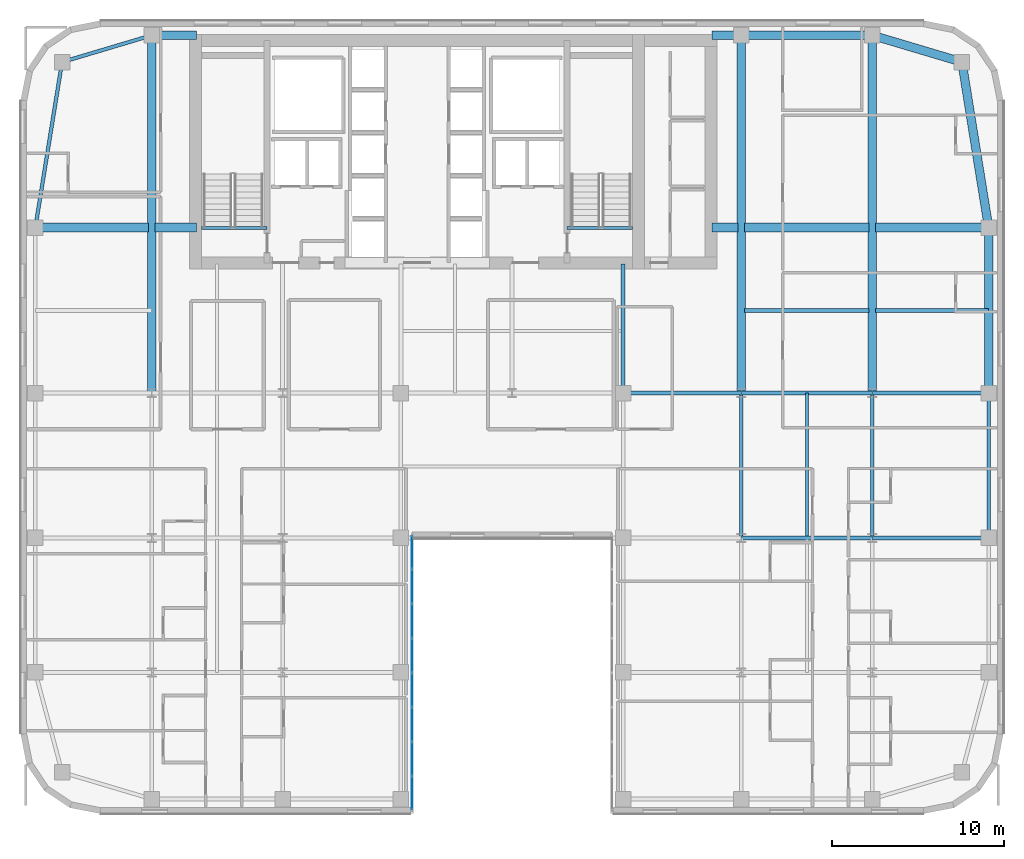
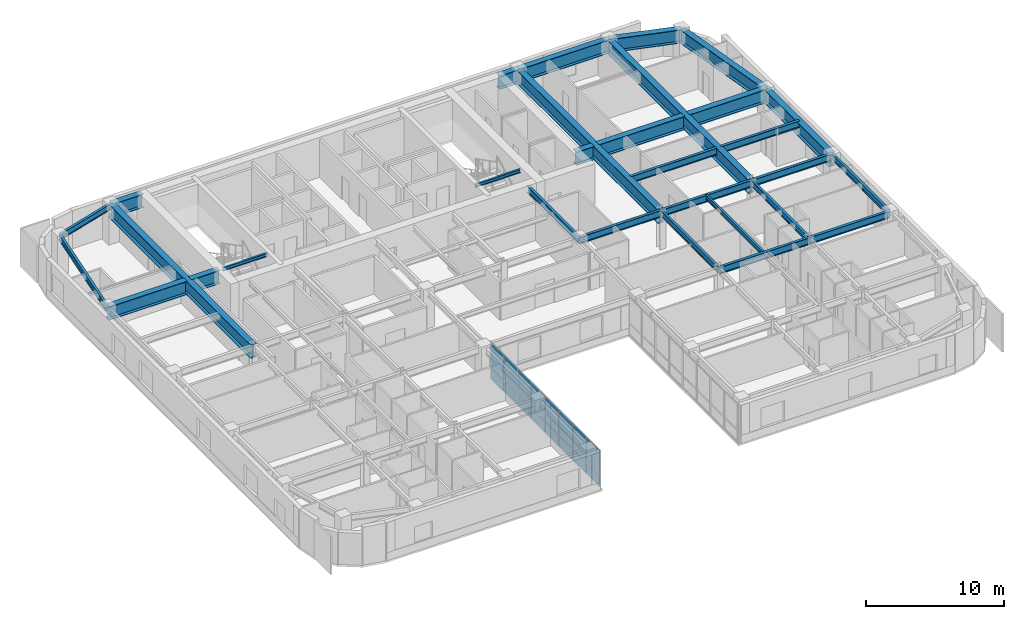
# One storey, part 12 of 25: 30 beams, 16 plates, 1 element without a shape of its own.
"""IFC4 building model written with IfcOpenShell, lengths in metres."""

import ifcopenshell
import ifcopenshell.guid

model = None  # the IFC model being written
_history = None  # IfcOwnerHistory: only IFC2X3 demands one
_inside = {}  # id of a spatial element -> (the spatial element, [elements in it])
_under = {}  # id of a project, library or spatial element -> (it, [spatial elements below it])
_declared = {}  # id of a project -> (the project, [libraries it declares])
_typed = {}  # id of a type object -> (the type object, [elements of that type])
_made_of = {}  # id of a material, layer set ... -> (it, [elements and type objects made of it])


def new_model(schema):
    """Start an empty IFC model of exactly this schema.

    Asked for "IFC4X3", IfcOpenShell would pick the latest addendum, in which some entities
    have other attributes; the version numbers below select the first issue.
    IFC2X3 requires an IfcOwnerHistory on every rooted entity: one is made here for all.
    """
    global model, _history
    if schema == "IFC4X3":
        model = ifcopenshell.file(schema_version=(4, 3, 0, 0))
    else:
        model = ifcopenshell.file(schema=schema)
    _inside.clear()
    _under.clear()
    _declared.clear()
    _typed.clear()
    _made_of.clear()
    _history = None
    if model.schema == "IFC2X3":
        org = make("IfcOrganization", Name="unknown")
        user = make(
            "IfcPersonAndOrganization",
            ThePerson=make("IfcPerson", FamilyName="unknown"),
            TheOrganization=org,
        )
        app = make(
            "IfcApplication",
            ApplicationDeveloper=org,
            Version="unknown",
            ApplicationFullName="unknown",
            ApplicationIdentifier="unknown",
        )
        _history = make(
            "IfcOwnerHistory",
            OwningUser=user,
            OwningApplication=app,
            ChangeAction="ADDED",
            CreationDate=0,
        )
    return model


def make(cls, **values):
    """One entity of the class cls with the attributes given. An attribute that is None is left unset."""
    return model.create_entity(
        cls, **{name: value for name, value in values.items() if value is not None}
    )


def rooted(cls, **values):
    """An entity with a GlobalId (a new one), such as an element, a storey or a relation."""
    return make(cls, GlobalId=ifcopenshell.guid.new(), OwnerHistory=_history, **values)


def si_unit(unit_type, name, prefix=None):
    """IfcSIUnit, for example si_unit("LENGTHUNIT", "METRE", prefix="MILLI")."""
    return make("IfcSIUnit", UnitType=unit_type, Prefix=prefix, Name=name)


def assignment(units):
    """IfcUnitAssignment: the units of a project."""
    return None if units is None else make("IfcUnitAssignment", Units=units)


def point(xyz):
    """IfcCartesianPoint."""
    return None if xyz is None else make("IfcCartesianPoint", Coordinates=xyz)


def direction(xyz):
    """IfcDirection."""
    return None if xyz is None else make("IfcDirection", DirectionRatios=xyz)


def frame(location, z_axis=None, x_axis=None):
    """IfcAxis2Placement3D, a coordinate frame: its origin and axes. An axis left out is left unset."""
    return make(
        "IfcAxis2Placement3D",
        Location=point(location),
        Axis=direction(z_axis),
        RefDirection=direction(x_axis),
    )


def frame_2d(location, x_axis=None):
    """IfcAxis2Placement2D, a coordinate frame in the plane: its origin and x axis."""
    return make(
        "IfcAxis2Placement2D", Location=point(location), RefDirection=direction(x_axis)
    )


def origin():
    """The frame at (0, 0, 0) with its axes left unset."""
    return frame((0.0, 0.0, 0.0))


def origin_2d():
    """The frame at (0, 0) in the plane with its x axis left unset."""
    return frame_2d((0.0, 0.0))


def place(relative_to, where):
    """IfcLocalPlacement: puts the frame where relative to a parent placement (None: the world)."""
    return make(
        "IfcLocalPlacement", PlacementRelTo=relative_to, RelativePlacement=where
    )


def context(
    kind, dimensions, precision=None, world=None, true_north=None, identifier=None
):
    """IfcGeometricRepresentationContext, for example the 3D "Model" context."""
    return make(
        "IfcGeometricRepresentationContext",
        ContextIdentifier=identifier,
        ContextType=kind,
        CoordinateSpaceDimension=dimensions,
        Precision=precision,
        WorldCoordinateSystem=world,
        TrueNorth=true_north,
    )


def subcontext(parent, identifier, kind, view, scale=None):
    """IfcGeometricRepresentationSubContext, for example "Body" below "Model"."""
    return make(
        "IfcGeometricRepresentationSubContext",
        ContextIdentifier=identifier,
        ContextType=kind,
        ParentContext=parent,
        TargetScale=scale,
        TargetView=view,
    )


def project(units=None, contexts=None):
    """IfcProject with its units and contexts."""
    return rooted(
        "IfcProject",
        Name="project",
        RepresentationContexts=contexts,
        UnitsInContext=assignment(units),
    )


def spatial(cls, under=None, at=None, **own):
    """A site, building, storey or space (cls), placed at a placement, below another one or the project."""
    s = rooted(cls, ObjectPlacement=at, **own)
    if under is not None:
        _under.setdefault(under.id(), (under, []))[1].append(s)
    return s


def profile(cls, at=None, kind="AREA", **sizes):
    """A parametric profile (cls). Its sizes go by their IFC names, for example OverallWidth=200.0."""
    return make(cls, ProfileType=kind, Position=at, **sizes)


def rectangle(**sizes):
    """IfcRectangleProfileDef."""
    return profile("IfcRectangleProfileDef", **sizes)


def i_section(**sizes):
    """IfcIShapeProfileDef."""
    return profile("IfcIShapeProfileDef", **sizes)


def extrude(swept, where, along, depth):
    """IfcExtrudedAreaSolid: the profile swept, set in the frame where, extruded along a direction by depth."""
    return make(
        "IfcExtrudedAreaSolid",
        SweptArea=swept,
        Position=where,
        ExtrudedDirection=direction(along),
        Depth=depth,
    )


def shape(context_of_items, identifier, shape_type, items):
    """IfcShapeRepresentation: the items that make up one representation, for example the "Body"."""
    return make(
        "IfcShapeRepresentation",
        ContextOfItems=context_of_items,
        RepresentationIdentifier=identifier,
        RepresentationType=shape_type,
        Items=items,
    )


def source(mapping_origin, context_of_items, identifier, shape_type, items):
    """IfcRepresentationMap: a shape defined once, which mapped items show again and again."""
    return make(
        "IfcRepresentationMap",
        MappingOrigin=mapping_origin,
        MappedRepresentation=shape(context_of_items, identifier, shape_type, items),
    )


def transform(
    local_origin,
    x_axis=None,
    y_axis=None,
    z_axis=None,
    scale=None,
    scale2=None,
    scale3=None,
    uniform=True,
):
    """IfcCartesianTransformationOperator3D, or its non-uniform kind. x_axis, y_axis, z_axis: its Axis1, 2, 3."""
    if uniform:
        return make(
            "IfcCartesianTransformationOperator3D",
            Axis1=direction(x_axis),
            Axis2=direction(y_axis),
            LocalOrigin=point(local_origin),
            Scale=scale,
            Axis3=direction(z_axis),
        )
    return make(
        "IfcCartesianTransformationOperator3DnonUniform",
        Axis1=direction(x_axis),
        Axis2=direction(y_axis),
        LocalOrigin=point(local_origin),
        Scale=scale,
        Axis3=direction(z_axis),
        Scale2=scale2,
        Scale3=scale3,
    )


def mapped(mapping_source, mapping_target):
    """IfcMappedItem: shows the shape of a source again, moved by a transform."""
    return make(
        "IfcMappedItem", MappingSource=mapping_source, MappingTarget=mapping_target
    )


def material(Name=None, Category=None):
    """IfcMaterial."""
    return make("IfcMaterial", Name=Name, Category=Category)


def layer(
    of_material, thickness, ventilated=None, Name=None, Category=None, Priority=None
):
    """IfcMaterialLayer: one layer of a wall or slab, of a material (None: an air gap)."""
    return make(
        "IfcMaterialLayer",
        Material=of_material,
        LayerThickness=thickness,
        IsVentilated=ventilated,
        Name=Name,
        Category=Category,
        Priority=Priority,
    )


def layer_set(layers, Name=None):
    """IfcMaterialLayerSet."""
    return make("IfcMaterialLayerSet", MaterialLayers=layers, LayerSetName=Name)


def material_profile(
    of_material, cross_section, Name=None, Category=None, Priority=None
):
    """IfcMaterialProfile: a cross section and its material."""
    return make(
        "IfcMaterialProfile",
        Name=Name,
        Material=of_material,
        Profile=cross_section,
        Priority=Priority,
        Category=Category,
    )


def profile_set(profiles, Name=None, composite=None):
    """IfcMaterialProfileSet."""
    return make(
        "IfcMaterialProfileSet",
        Name=Name,
        MaterialProfiles=profiles,
        CompositeProfile=composite,
    )


def made_of(thing, what):
    """Note that an element or type object is made of a material, layer set ...; save() writes the relation."""
    if what is not None:
        _made_of.setdefault(what.id(), (what, []))[1].append(thing)
    return thing


def type_object(cls, material=None, **own):
    """A type object (cls), such as IfcWallType, which elements share."""
    return made_of(rooted(cls, **own), material)


def type_shapes(of_type, sources):
    """Give a type object the sources (RepresentationMaps) that its elements show as mapped items."""
    of_type.RepresentationMaps = sources


def element(
    cls,
    number,
    at=None,
    inside=None,
    cuts=None,
    type_object=None,
    material=None,
    context=None,
    identifier="Body",
    shape_type=None,
    held_by="IfcProductDefinitionShape",
    body=None,
    shapes=None,
    **own,
):
    """One element of the class cls, such as IfcWall. Its Tag is "e" and its number.

    at: its placement. inside: the storey or other place that contains it. cuts: it is an
    opening in that element (IfcRelVoidsElement). A single representation is given by context,
    identifier, shape_type and body (its items); several are given by shapes. held_by: the class
    of the entity that holds the representations. save() writes the other relations.
    """
    e = rooted(cls, Tag="e%d" % number, ObjectPlacement=at, **own)
    if body is not None:
        shapes = [shape(context, identifier, shape_type, body)]
    if shapes is not None:
        e.Representation = make(held_by, Representations=shapes)
    if inside is not None:
        _inside.setdefault(inside.id(), (inside, []))[1].append(e)
    if cuts is not None:
        rooted(
            "IfcRelVoidsElement", RelatingBuildingElement=cuts, RelatedOpeningElement=e
        )
    if type_object is not None:
        _typed.setdefault(type_object.id(), (type_object, []))[1].append(e)
    return made_of(e, material)


def aggregate(whole, parts):
    """IfcRelAggregates: a whole, such as a stair, and the parts it consists of."""
    return rooted("IfcRelAggregates", RelatingObject=whole, RelatedObjects=parts)


def save(model, path):
    """Write the relations noted so far, then the file.

    IfcRelAggregates (storeys below a building ...), IfcRelContainedInSpatialStructure (elements
    in a storey), IfcRelDefinesByType, IfcRelAssociatesMaterial and IfcRelDeclares: one each for
    every whole, place, type object, material and project.
    """
    for whole, parts in _under.values():
        aggregate(whole, parts)
    for where, things in _inside.values():
        rooted(
            "IfcRelContainedInSpatialStructure",
            RelatedElements=things,
            RelatingStructure=where,
        )
    for kind, things in _typed.values():
        rooted("IfcRelDefinesByType", RelatedObjects=things, RelatingType=kind)
    for what, things in _made_of.values():
        rooted("IfcRelAssociatesMaterial", RelatedObjects=things, RelatingMaterial=what)
    for by, libraries in _declared.values():
        rooted("IfcRelDeclares", RelatingContext=by, RelatedDefinitions=libraries)
    model.write(path)


model = new_model("IFC4")

# Units and contexts
model_context = context("Model", 3, precision=1e-05, world=origin(), true_north=direction((0.0, 1.0)))
body_context = subcontext(model_context, "Body", "Model", "MODEL_VIEW")
ifc_project = project(units=[si_unit("LENGTHUNIT", "METRE"), si_unit("AREAUNIT", "SQUARE_METRE"), si_unit("VOLUMEUNIT", "CUBIC_METRE"), si_unit("PLANEANGLEUNIT", "RADIAN"), si_unit("MASSUNIT", "GRAM", prefix="KILO")], contexts=[model_context])

# Site, building, storey
site_placement = place(None, origin())
site = spatial("IfcSite", under=ifc_project, at=site_placement, CompositionType="ELEMENT")
building_placement = place(site_placement, origin())
building = spatial("IfcBuilding", under=site, at=building_placement, Name="Tolvann Quenvar Hotel", CompositionType="ELEMENT")
storey_placement = place(building_placement, frame((0.0, 0.0, 132.85009765625)))
storey = spatial("IfcBuildingStorey", under=building, at=storey_placement, Name="L34", CompositionType="ELEMENT", Elevation=132.85009765625)

# Beams
ifc_material_1 = material(Name="Steel Grade 350", Category="steel")
ifc_material_profile_1 = material_profile(ifc_material_1, i_section(OverallWidth=0.5, OverallDepth=1.199951171875, WebThickness=0.01611328125, FlangeThickness=0.0400390625, at=origin_2d()), Name="1200WB455")
ifc_profile_set_1 = profile_set([ifc_material_profile_1], Name="Steel Grade 350")
beam_type_1 = type_object("IfcBeamType", Name="BM_TG_1200WB455", PredefinedType="USERDEFINED", material=ifc_profile_set_1)
shared_shape_1 = source(origin(), body_context, "Body", "SweptSolid", [
    extrude(i_section(OverallWidth=0.5, OverallDepth=1.199951171875, WebThickness=0.01611328125, FlangeThickness=0.0400390625, at=origin_2d()), origin(), (0.0, 0.0, 1.0), 7.599853515625),
])
beam_1_placement = place(storey_placement, frame((49.39990234375, 45.14990234375, 2.77001953125), z_axis=(-1.0, 0.0, 0.0), x_axis=(0.0, -1.0, 0.0)))
element("IfcBeam", 1, at=beam_1_placement, inside=storey, type_object=beam_type_1, Name="BM-L34-FLK-E4", ObjectType="TRANSFER GIRDER", PredefinedType="USERDEFINED", context=body_context, shape_type="MappedRepresentation", body=[
    mapped(shared_shape_1, transform((0.0, 0.0, 0.0), x_axis=(1.0, 0.0, 0.0), y_axis=(0.0, 1.0, 0.0), z_axis=(0.0, 0.0, 1.0), scale=1.0)),
])
shared_shape_2 = source(origin(), body_context, "Body", "SweptSolid", [
    extrude(i_section(OverallWidth=0.5, OverallDepth=1.199951171875, WebThickness=0.01611328125, FlangeThickness=0.0400390625, at=origin_2d()), origin(), (0.0, 0.0, 1.0), 9.60009765625),
])
beam_2_placement = place(storey_placement, frame((56.14990234375, 24.39990234375, 2.77001953125), z_axis=(0.0, 1.0, 0.0), x_axis=(-1.0, 0.0, 0.0)))
element("IfcBeam", 2, at=beam_2_placement, inside=storey, type_object=beam_type_1, Name="BM-L34-FLK-E1", ObjectType="TRANSFER GIRDER", PredefinedType="USERDEFINED", context=body_context, shape_type="MappedRepresentation", body=[
    mapped(shared_shape_2, transform((0.0, 0.0, 0.0), x_axis=(1.0, 0.0, 0.0), y_axis=(0.0, 1.0, 0.0), z_axis=(0.0, 0.0, 1.0), scale=1.0)),
])
ifc_material_profile_2 = material_profile(ifc_material_1, i_section(OverallWidth=0.208984375, OverallDepth=0.528076171875, WebThickness=0.009521484375, FlangeThickness=0.01318359375, FilletRadius=0.013916015625, at=origin_2d()), Name="530UB82")
ifc_profile_set_2 = profile_set([ifc_material_profile_2], Name="Steel Grade 350")
beam_type_2 = type_object("IfcBeamType", Name="BM_SPAND_530UB82", PredefinedType="SPANDREL", material=ifc_profile_set_2)
shared_shape_3 = source(origin(), body_context, "Body", "SweptSolid", [
    extrude(i_section(OverallWidth=0.208984375, OverallDepth=0.528076171875, WebThickness=0.009521484375, FlangeThickness=0.01318359375, FilletRadius=0.013916015625, at=origin_2d()), origin(), (0.0, 0.0, 1.0), 5.42626953125),
])
beam_3_placement = place(storey_placement, frame((2.39990234375, 43.60009765625, 3.10595703125), z_axis=(0.958344815522, 0.285613750654, 0.0), x_axis=(-0.285613750654, 0.958344815522, 0.0)))
element("IfcBeam", 3, at=beam_3_placement, inside=storey, type_object=beam_type_2, Name="BM-L34-FLK-W3", PredefinedType="SPANDREL", context=body_context, shape_type="MappedRepresentation", body=[
    mapped(shared_shape_3, transform((0.0, 0.0, 0.0), x_axis=(1.0, 0.0, 0.0), y_axis=(0.0, 1.0, 0.0), z_axis=(0.0, 0.0, 1.0), scale=1.0)),
])
ifc_material_profile_3 = material_profile(ifc_material_1, i_section(OverallWidth=0.22900390625, OverallDepth=0.612060546875, WebThickness=0.011962890625, FlangeThickness=0.01953125, FilletRadius=0.013916015625, at=origin_2d()), Name="610UB125")
ifc_profile_set_3 = profile_set([ifc_material_profile_3], Name="Steel Grade 350")
beam_type_3 = type_object("IfcBeamType", Name="BM_GIRD_610UB125", PredefinedType="BEAM", material=ifc_profile_set_3)
shared_shape_4 = source(origin(), body_context, "Body", "SweptSolid", [
    extrude(i_section(OverallWidth=0.22900390625, OverallDepth=0.612060546875, WebThickness=0.011962890625, FlangeThickness=0.01953125, FilletRadius=0.013916015625, at=origin_2d()), origin(), (0.0, 0.0, 1.0), 6.75),
])
for number, where, z_axis, x_axis, name in (
    (4, (49.39990234375, 16.0, 3.06396484375), (1.0, 0.0, 0.0), (0.0, 1.0, 0.0), "BM-L34-EW-4-I4-J4"),
    (5, (49.39990234375, 24.39990234375, 3.06396484375), (1.0, 0.0, 0.0), (0.0, 1.0, 0.0), "BM-L34-EW-5-I5-J5"),
):
    element("IfcBeam", number, at=place(storey_placement, frame(where, z_axis=z_axis, x_axis=x_axis)), inside=storey, type_object=beam_type_3, Name=name, PredefinedType="BEAM", context=body_context, shape_type="MappedRepresentation", body=[
        mapped(shared_shape_4, transform((0.0, 0.0, 0.0), x_axis=(1.0, 0.0, 0.0), y_axis=(0.0, 1.0, 0.0), z_axis=(0.0, 0.0, 1.0), scale=1.0)),
    ])
shared_shape_5 = source(origin(), body_context, "Body", "SweptSolid", [
    extrude(i_section(OverallWidth=0.22900390625, OverallDepth=0.612060546875, WebThickness=0.011962890625, FlangeThickness=0.01953125, FilletRadius=0.013916015625, at=origin_2d()), origin(), (0.0, 0.0, 1.0), 7.599853515625),
])
for number, where, z_axis, x_axis, name in (
    (6, (41.800048828125, 16.0, 3.06396484375), (1.0, 0.0, 0.0), (0.0, 1.0, 0.0), "BM-L34-EW-4-H4-I4"),
    (7, (41.800048828125, 24.39990234375, 3.06396484375), (1.0, 0.0, 0.0), (0.0, 1.0, 0.0), "BM-L34-EW-5-H5-I5"),
):
    element("IfcBeam", number, at=place(storey_placement, frame(where, z_axis=z_axis, x_axis=x_axis)), inside=storey, type_object=beam_type_3, Name=name, PredefinedType="BEAM", context=body_context, shape_type="MappedRepresentation", body=[
        mapped(shared_shape_5, transform((0.0, 0.0, 0.0), x_axis=(1.0, 0.0, 0.0), y_axis=(0.0, 1.0, 0.0), z_axis=(0.0, 0.0, 1.0), scale=1.0)),
    ])
shared_shape_6 = source(origin(), body_context, "Body", "SweptSolid", [
    extrude(i_section(OverallWidth=0.22900390625, OverallDepth=0.612060546875, WebThickness=0.011962890625, FlangeThickness=0.01953125, FilletRadius=0.013916015625, at=origin_2d()), origin(), (0.0, 0.0, 1.0), 6.85009765625),
])
beam_4_placement = place(storey_placement, frame((34.949951171875, 24.39990234375, 3.06396484375), z_axis=(1.0, 0.0, 0.0), x_axis=(0.0, 1.0, 0.0)))
element("IfcBeam", 8, at=beam_4_placement, inside=storey, type_object=beam_type_3, Name="BM-L34-EW-5-F5-H5", PredefinedType="BEAM", context=body_context, shape_type="MappedRepresentation", body=[
    mapped(shared_shape_6, transform((0.0, 0.0, 0.0), x_axis=(1.0, 0.0, 0.0), y_axis=(0.0, 1.0, 0.0), z_axis=(0.0, 0.0, 1.0), scale=1.0)),
])
shared_shape_7 = source(origin(), body_context, "Body", "SweptSolid", [
    extrude(i_section(OverallWidth=0.208984375, OverallDepth=0.528076171875, WebThickness=0.009521484375, FlangeThickness=0.01318359375, FilletRadius=0.013916015625, at=origin_2d()), origin(), (0.0, 0.0, 1.0), 8.39990234375),
])
beam_5_placement = place(storey_placement, frame((56.14990234375, 16.0, 3.10595703125), z_axis=(0.0, 1.0, 0.0), x_axis=(-1.0, 0.0, 0.0)))
element("IfcBeam", 9, at=beam_5_placement, inside=storey, type_object=beam_type_2, Name="BM-L34-NS-J4-J5", PredefinedType="SPANDREL", context=body_context, shape_type="MappedRepresentation", body=[
    mapped(shared_shape_7, transform((0.0, 0.0, 0.0), x_axis=(1.0, 0.0, 0.0), y_axis=(0.0, 1.0, 0.0), z_axis=(0.0, 0.0, 1.0), scale=1.0)),
])
ifc_material_profile_4 = material_profile(ifc_material_1, i_section(OverallWidth=0.208984375, OverallDepth=0.532958984375, WebThickness=0.01025390625, FlangeThickness=0.015625, FilletRadius=0.013916015625, at=origin_2d()), Name="530UB92")
ifc_profile_set_4 = profile_set([ifc_material_profile_4], Name="Steel Grade 350")
beam_type_4 = type_object("IfcBeamType", Name="BM_GIRD_530UB92", PredefinedType="BEAM", material=ifc_profile_set_4)
shared_shape_8 = source(origin(), body_context, "Body", "SweptSolid", [
    extrude(i_section(OverallWidth=0.208984375, OverallDepth=0.532958984375, WebThickness=0.01025390625, FlangeThickness=0.015625, FilletRadius=0.013916015625, at=origin_2d()), origin(), (0.0, 0.0, 1.0), 8.39990234375),
])
type_shapes(beam_type_4, [shared_shape_8])
for number, where, z_axis, x_axis, name in (
    (10, (41.800048828125, 16.0, 3.103515625), (0.0, 1.0, 0.0), (-1.0, 0.0, 0.0), "BM-L34-NS-H4-H5"),
    (11, (49.39990234375, 16.0, 3.103515625), (0.0, 1.0, 0.0), (-1.0, 0.0, 0.0), "BM-L34-NS-I4-I5"),
):
    element("IfcBeam", number, at=place(storey_placement, frame(where, z_axis=z_axis, x_axis=x_axis)), inside=storey, type_object=beam_type_4, Name=name, PredefinedType="BEAM", context=body_context, shape_type="MappedRepresentation", body=[
        mapped(shared_shape_8, transform((0.0, 0.0, 0.0), x_axis=(1.0, 0.0, 0.0), y_axis=(0.0, 1.0, 0.0), z_axis=(0.0, 0.0, 1.0), scale=1.0)),
    ])
shared_shape_9 = source(origin(), body_context, "Body", "SweptSolid", [
    extrude(i_section(OverallWidth=0.22900390625, OverallDepth=0.612060546875, WebThickness=0.011962890625, FlangeThickness=0.01953125, FilletRadius=0.013916015625, at=origin_2d()), origin(), (0.0, 0.0, 1.0), 7.5),
])
beam_6_placement = place(storey_placement, frame((34.949951171875, 24.39990234375, 3.06396484375), z_axis=(0.0, 1.0, 0.0), x_axis=(-1.0, 0.0, 0.0)))
element("IfcBeam", 12, at=beam_6_placement, inside=storey, type_object=beam_type_3, Name="BM-L34-CORE-F5", PredefinedType="BEAM", context=body_context, shape_type="MappedRepresentation", body=[
    mapped(shared_shape_9, transform((0.0, 0.0, 0.0), x_axis=(1.0, 0.0, 0.0), y_axis=(0.0, 1.0, 0.0), z_axis=(0.0, 0.0, 1.0), scale=1.0)),
])
shared_shape_10 = source(origin(), body_context, "Body", "SweptSolid", [
    extrude(i_section(OverallWidth=0.208984375, OverallDepth=0.528076171875, WebThickness=0.009521484375, FlangeThickness=0.01318359375, FilletRadius=0.013916015625, at=origin_2d()), origin(), (0.0, 0.0, 1.0), 9.724365234375),
])
type_shapes(beam_type_2, [shared_shape_3, shared_shape_7, shared_shape_10])
beam_7_placement = place(storey_placement, frame((0.85009765625, 34.0, 3.10595703125), z_axis=(0.159372939192, 0.987218449105, 0.0), x_axis=(-0.987218449105, 0.159372939192, 0.0)))
element("IfcBeam", 13, at=beam_7_placement, inside=storey, type_object=beam_type_2, Name="BM-L34-FLK-W2", PredefinedType="SPANDREL", context=body_context, shape_type="MappedRepresentation", body=[
    mapped(shared_shape_10, transform((0.0, 0.0, 0.0), x_axis=(1.0, 0.0, 0.0), y_axis=(0.0, 1.0, 0.0), z_axis=(0.0, 0.0, 1.0), scale=1.0)),
])
shared_shape_11 = source(origin(), body_context, "Body", "SweptSolid", [
    extrude(i_section(OverallWidth=0.5, OverallDepth=1.199951171875, WebThickness=0.01611328125, FlangeThickness=0.0400390625, at=origin_2d()), origin(), (0.0, 0.0, 1.0), 20.75),
])
for number, where, z_axis, x_axis, name in (
    (14, (7.60009765625, 24.39990234375, 2.77001953125), (0.0, 1.0, 0.0), (-1.0, 0.0, 0.0), "BM-L34-FLK-WC"),
    (15, (41.800048828125, 24.39990234375, 2.77001953125), (0.0, 1.0, 0.0), (-1.0, 0.0, 0.0), "BM-L34-FLK-EH"),
    (16, (49.39990234375, 24.39990234375, 2.77001953125), (0.0, 1.0, 0.0), (-1.0, 0.0, 0.0), "BM-L34-FLK-EI"),
):
    element("IfcBeam", number, at=place(storey_placement, frame(where, z_axis=z_axis, x_axis=x_axis)), inside=storey, type_object=beam_type_1, Name=name, ObjectType="TRANSFER GIRDER", PredefinedType="USERDEFINED", context=body_context, shape_type="MappedRepresentation", body=[
        mapped(shared_shape_11, transform((0.0, 0.0, 0.0), x_axis=(1.0, 0.0, 0.0), y_axis=(0.0, 1.0, 0.0), z_axis=(0.0, 0.0, 1.0), scale=1.0)),
    ])
shared_shape_12 = source(origin(), body_context, "Body", "SweptSolid", [
    extrude(i_section(OverallWidth=0.5, OverallDepth=1.199951171875, WebThickness=0.01611328125, FlangeThickness=0.0400390625, at=origin_2d()), origin(), (0.0, 0.0, 1.0), 6.56982421875),
])
for number, where, z_axis, x_axis, name in (
    (17, (0.85009765625, 34.0, 2.77001953125), (1.0, 0.0, 0.0), (0.0, 1.0, 0.0), "BM-L34-CTW-MID1"),
    (18, (49.580078125, 34.0, 2.77001953125), (1.0, 0.0, 0.0), (0.0, 1.0, 0.0), "BM-L34-CTE-JD6C"),
):
    element("IfcBeam", number, at=place(storey_placement, frame(where, z_axis=z_axis, x_axis=x_axis)), inside=storey, type_object=beam_type_1, Name=name, ObjectType="TRANSFER GIRDER", PredefinedType="USERDEFINED", context=body_context, shape_type="MappedRepresentation", body=[
        mapped(shared_shape_12, transform((0.0, 0.0, 0.0), x_axis=(1.0, 0.0, 0.0), y_axis=(0.0, 1.0, 0.0), z_axis=(0.0, 0.0, 1.0), scale=1.0)),
    ])
shared_shape_13 = source(origin(), body_context, "Body", "SweptSolid", [
    extrude(i_section(OverallWidth=0.5, OverallDepth=1.199951171875, WebThickness=0.01611328125, FlangeThickness=0.0400390625, at=origin_2d()), origin(), (0.0, 0.0, 1.0), 2.419921875),
])
beam_8_placement = place(storey_placement, frame((7.780029296875, 34.0, 2.77001953125), z_axis=(1.0, 0.0, 0.0), x_axis=(0.0, 1.0, 0.0)))
element("IfcBeam", 19, at=beam_8_placement, inside=storey, type_object=beam_type_1, Name="BM-L34-CTW-MID2", ObjectType="TRANSFER GIRDER", PredefinedType="USERDEFINED", context=body_context, shape_type="MappedRepresentation", body=[
    mapped(shared_shape_13, transform((0.0, 0.0, 0.0), x_axis=(1.0, 0.0, 0.0), y_axis=(0.0, 1.0, 0.0), z_axis=(0.0, 0.0, 1.0), scale=1.0)),
])
shared_shape_14 = source(origin(), body_context, "Body", "SweptSolid", [
    extrude(i_section(OverallWidth=0.5, OverallDepth=1.199951171875, WebThickness=0.01611328125, FlangeThickness=0.0400390625, at=origin_2d()), origin(), (0.0, 0.0, 1.0), 2.599853515625),
])
beam_9_placement = place(storey_placement, frame((7.60009765625, 45.14990234375, 2.77001953125), z_axis=(1.0, 0.0, 0.0), x_axis=(0.0, 1.0, 0.0)))
element("IfcBeam", 20, at=beam_9_placement, inside=storey, type_object=beam_type_1, Name="BM-L34-CTW-CN", ObjectType="TRANSFER GIRDER", PredefinedType="USERDEFINED", context=body_context, shape_type="MappedRepresentation", body=[
    mapped(shared_shape_14, transform((0.0, 0.0, 0.0), x_axis=(1.0, 0.0, 0.0), y_axis=(0.0, 1.0, 0.0), z_axis=(0.0, 0.0, 1.0), scale=1.0)),
])
shared_shape_15 = source(origin(), body_context, "Body", "SweptSolid", [
    extrude(i_section(OverallWidth=0.5, OverallDepth=1.199951171875, WebThickness=0.01611328125, FlangeThickness=0.0400390625, at=origin_2d()), origin(), (0.0, 0.0, 1.0), 9.724365234375),
])
beam_10_placement = place(storey_placement, frame((56.14990234375, 34.0, 2.77001953125), z_axis=(-0.159372939192, 0.987218449105, 0.0), x_axis=(-0.987218449105, -0.159372939192, 0.0)))
element("IfcBeam", 21, at=beam_10_placement, inside=storey, type_object=beam_type_1, Name="BM-L34-FLK-E2", ObjectType="TRANSFER GIRDER", PredefinedType="USERDEFINED", context=body_context, shape_type="MappedRepresentation", body=[
    mapped(shared_shape_15, transform((0.0, 0.0, 0.0), x_axis=(1.0, 0.0, 0.0), y_axis=(0.0, 1.0, 0.0), z_axis=(0.0, 0.0, 1.0), scale=1.0)),
])
shared_shape_16 = source(origin(), body_context, "Body", "SweptSolid", [
    extrude(i_section(OverallWidth=0.5, OverallDepth=1.199951171875, WebThickness=0.01611328125, FlangeThickness=0.0400390625, at=origin_2d()), origin(), (0.0, 0.0, 1.0), 5.42626953125),
])
beam_11_placement = place(storey_placement, frame((54.60009765625, 43.60009765625, 2.77001953125), z_axis=(-0.958344815522, 0.285613750654, 0.0), x_axis=(-0.285613750654, -0.958344815522, 0.0)))
element("IfcBeam", 22, at=beam_11_placement, inside=storey, type_object=beam_type_1, Name="BM-L34-FLK-E3", ObjectType="TRANSFER GIRDER", PredefinedType="USERDEFINED", context=body_context, shape_type="MappedRepresentation", body=[
    mapped(shared_shape_16, transform((0.0, 0.0, 0.0), x_axis=(1.0, 0.0, 0.0), y_axis=(0.0, 1.0, 0.0), z_axis=(0.0, 0.0, 1.0), scale=1.0)),
])
shared_shape_17 = source(origin(), body_context, "Body", "SweptSolid", [
    extrude(i_section(OverallWidth=0.5, OverallDepth=1.199951171875, WebThickness=0.01611328125, FlangeThickness=0.0400390625, at=origin_2d()), origin(), (0.0, 0.0, 1.0), 1.699951171875),
])
beam_12_placement = place(storey_placement, frame((40.10009765625, 45.14990234375, 2.77001953125), z_axis=(1.0, 0.0, 0.0), x_axis=(0.0, 1.0, 0.0)))
element("IfcBeam", 23, at=beam_12_placement, inside=storey, type_object=beam_type_1, Name="BM-L34-CTE-HN", ObjectType="TRANSFER GIRDER", PredefinedType="USERDEFINED", context=body_context, shape_type="MappedRepresentation", body=[
    mapped(shared_shape_17, transform((0.0, 0.0, 0.0), x_axis=(1.0, 0.0, 0.0), y_axis=(0.0, 1.0, 0.0), z_axis=(0.0, 0.0, 1.0), scale=1.0)),
])
shared_shape_18 = source(origin(), body_context, "Body", "SweptSolid", [
    extrude(i_section(OverallWidth=0.5, OverallDepth=1.199951171875, WebThickness=0.01611328125, FlangeThickness=0.0400390625, at=origin_2d()), origin(), (0.0, 0.0, 1.0), 1.52001953125),
])
beam_13_placement = place(storey_placement, frame((40.10009765625, 34.0, 2.77001953125), z_axis=(1.0, 0.0, 0.0), x_axis=(0.0, 1.0, 0.0)))
element("IfcBeam", 24, at=beam_13_placement, inside=storey, type_object=beam_type_1, Name="BM-L34-CTE-JD6A", ObjectType="TRANSFER GIRDER", PredefinedType="USERDEFINED", context=body_context, shape_type="MappedRepresentation", body=[
    mapped(shared_shape_18, transform((0.0, 0.0, 0.0), x_axis=(1.0, 0.0, 0.0), y_axis=(0.0, 1.0, 0.0), z_axis=(0.0, 0.0, 1.0), scale=1.0)),
])
shared_shape_19 = source(origin(), body_context, "Body", "SweptSolid", [
    extrude(i_section(OverallWidth=0.5, OverallDepth=1.199951171875, WebThickness=0.01611328125, FlangeThickness=0.0400390625, at=origin_2d()), origin(), (0.0, 0.0, 1.0), 7.239990234375),
])
type_shapes(beam_type_1, [shared_shape_1, shared_shape_2, shared_shape_11, shared_shape_12, shared_shape_13, shared_shape_14, shared_shape_15, shared_shape_16, shared_shape_17, shared_shape_18, shared_shape_19])
beam_14_placement = place(storey_placement, frame((41.97998046875, 34.0, 2.77001953125), z_axis=(1.0, 0.0, 0.0), x_axis=(0.0, 1.0, 0.0)))
element("IfcBeam", 25, at=beam_14_placement, inside=storey, type_object=beam_type_1, Name="BM-L34-CTE-JD6B", ObjectType="TRANSFER GIRDER", PredefinedType="USERDEFINED", context=body_context, shape_type="MappedRepresentation", body=[
    mapped(shared_shape_19, transform((0.0, 0.0, 0.0), x_axis=(1.0, 0.0, 0.0), y_axis=(0.0, 1.0, 0.0), z_axis=(0.0, 0.0, 1.0), scale=1.0)),
])
shared_shape_20 = source(origin(), body_context, "Body", "SweptSolid", [
    extrude(i_section(OverallWidth=0.22900390625, OverallDepth=0.612060546875, WebThickness=0.011962890625, FlangeThickness=0.01953125, FilletRadius=0.013916015625, at=origin_2d()), origin(), (0.0, 0.0, 1.0), 7.239990234375),
])
beam_15_placement = place(storey_placement, frame((41.97998046875, 29.199951171875, 3.06396484375), z_axis=(1.0, 0.0, 0.0), x_axis=(0.0, 1.0, 0.0)))
element("IfcBeam", 26, at=beam_15_placement, inside=storey, type_object=beam_type_3, Name="BM-L34-EW-HI29", PredefinedType="BEAM", context=body_context, shape_type="MappedRepresentation", body=[
    mapped(shared_shape_20, transform((0.0, 0.0, 0.0), x_axis=(1.0, 0.0, 0.0), y_axis=(0.0, 1.0, 0.0), z_axis=(0.0, 0.0, 1.0), scale=1.0)),
])
shared_shape_21 = source(origin(), body_context, "Body", "SweptSolid", [
    extrude(i_section(OverallWidth=0.22900390625, OverallDepth=0.612060546875, WebThickness=0.011962890625, FlangeThickness=0.01953125, FilletRadius=0.013916015625, at=origin_2d()), origin(), (0.0, 0.0, 1.0), 6.56982421875),
])
type_shapes(beam_type_3, [shared_shape_4, shared_shape_5, shared_shape_6, shared_shape_9, shared_shape_20, shared_shape_21])
beam_16_placement = place(storey_placement, frame((49.580078125, 29.199951171875, 3.06396484375), z_axis=(1.0, 0.0, 0.0), x_axis=(0.0, 1.0, 0.0)))
element("IfcBeam", 27, at=beam_16_placement, inside=storey, type_object=beam_type_3, Name="BM-L34-EW-IJ29", PredefinedType="BEAM", context=body_context, shape_type="MappedRepresentation", body=[
    mapped(shared_shape_21, transform((0.0, 0.0, 0.0), x_axis=(1.0, 0.0, 0.0), y_axis=(0.0, 1.0, 0.0), z_axis=(0.0, 0.0, 1.0), scale=1.0)),
])
ifc_material_profile_5 = material_profile(ifc_material_1, i_section(OverallWidth=0.177978515625, OverallDepth=0.406005859375, WebThickness=0.0078125, FlangeThickness=0.0126953125, FilletRadius=0.011474609375, at=origin_2d()), Name="410UB60")
ifc_profile_set_5 = profile_set([ifc_material_profile_5], Name="Steel Grade 350")
beam_type_5 = type_object("IfcBeamType", Name="BM_JOIST_410UB60", PredefinedType="JOIST", material=ifc_profile_set_5)
shared_shape_22 = source(origin(), body_context, "Body", "SweptSolid", [
    extrude(i_section(OverallWidth=0.177978515625, OverallDepth=0.406005859375, WebThickness=0.0078125, FlangeThickness=0.0126953125, FilletRadius=0.011474609375, at=origin_2d()), origin(), (0.0, 0.0, 1.0), 8.29150390625),
])
type_shapes(beam_type_5, [shared_shape_22])
beam_17_placement = place(storey_placement, frame((45.60009765625, 16.1083984375, 3.1669921875), z_axis=(0.0, 1.0, 0.0), x_axis=(-1.0, 0.0, 0.0)))
element("IfcBeam", 28, at=beam_17_placement, inside=storey, type_object=beam_type_5, Name="BJ-L34-456-160", PredefinedType="JOIST", context=body_context, shape_type="MappedRepresentation", body=[
    mapped(shared_shape_22, transform((0.0, 0.0, 0.0), x_axis=(1.0, 0.0, 0.0), y_axis=(0.0, 1.0, 0.0), z_axis=(0.0, 0.0, 1.0), scale=1.0)),
])
ifc_material_profile_6 = material_profile(ifc_material_1, i_section(OverallWidth=0.166015625, OverallDepth=0.306884765625, WebThickness=0.006591796875, FlangeThickness=0.01171875, FilletRadius=0.011474609375, at=origin_2d()), Name="310UB46")
ifc_profile_set_6 = profile_set([ifc_material_profile_6], Name="Steel Grade 350")
beam_type_6 = type_object("IfcBeamType", Name="BM_JOIST_310UB46", PredefinedType="JOIST", material=ifc_profile_set_6)
shared_shape_23 = source(origin(), body_context, "Body", "SweptSolid", [
    extrude(i_section(OverallWidth=0.166015625, OverallDepth=0.306884765625, WebThickness=0.006591796875, FlangeThickness=0.01171875, FilletRadius=0.011474609375, at=origin_2d()), origin(), (0.0, 0.0, 1.0), 3.800048828125),
])
type_shapes(beam_type_6, [shared_shape_23])
for number, where, z_axis, x_axis, name in (
    (29, (10.5, 33.97998046875, 3.21630859375), (1.0, 0.0, 0.0), (0.0, 1.0, 0.0), "BM-HDR-STC1-L35"),
    (30, (31.699951171875, 33.97998046875, 3.21630859375), (1.0, 0.0, 0.0), (0.0, 1.0, 0.0), "BM-HDR-STC2-L35"),
):
    element("IfcBeam", number, at=place(storey_placement, frame(where, z_axis=z_axis, x_axis=x_axis)), inside=storey, type_object=beam_type_6, Name=name, PredefinedType="JOIST", context=body_context, shape_type="MappedRepresentation", body=[
        mapped(shared_shape_23, transform((0.0, 0.0, 0.0), x_axis=(1.0, 0.0, 0.0), y_axis=(0.0, 1.0, 0.0), z_axis=(0.0, 0.0, 1.0), scale=1.0)),
    ])

# Curtain wall, plates
ifc_material_2 = material(Name="Thermally broken anodised architectural aluminium 6063-T6 and laminated low-E glass", Category="aluminium")
ifc_layer_1 = layer(ifc_material_2, 0.179931640625)
ifc_layer_set_1 = layer_set([ifc_layer_1], Name="Thermally broken anodised architectural aluminium 6063-T6 and laminated low-E glass")
curtain_wall_type = type_object("IfcCurtainWallType", Name="CW_SYS_SLOT_03", PredefinedType="USERDEFINED", material=ifc_layer_set_1)
curtain_wall_placement = place(storey_placement, origin())
curtain_wall = element("IfcCurtainWall", 31, at=curtain_wall_placement, inside=storey, type_object=curtain_wall_type, Name="Curtain Wall CW-SLOT-03 (CWR-L34-E05)", ObjectType="UNITISED CURTAIN WALL", PredefinedType="USERDEFINED")
ifc_material_3 = material(Name="Low-iron laminated double glazing with solar-control coating", Category="glass")
ifc_layer_2 = layer(ifc_material_3, 0.028076171875)
ifc_layer_set_2 = layer_set([ifc_layer_2], Name="Low-iron laminated double glazing with solar-control coating")
plate_type = type_object("IfcPlateType", Name="CW_PAN_VISION_28", PredefinedType="CURTAIN_PANEL", material=ifc_layer_set_2)
shared_shape_24 = source(origin(), body_context, "Body", "SweptSolid", [
    extrude(rectangle(XDim=1.89501953125, YDim=0.028076171875, at=origin_2d()), origin(), (0.0, 0.0, 1.0), 0.9599609375),
])
plate_1_placement = place(storey_placement, frame((22.7099609375, 1.1923828125, 0.059814453125), z_axis=(0.0, 0.0, 1.0), x_axis=(0.0, 1.0, 0.0)))
plate_1 = element("IfcPlate", 32, at=plate_1_placement, type_object=plate_type, Name="CW-SLOT-03 panel 1.1", PredefinedType="CURTAIN_PANEL", context=body_context, shape_type="MappedRepresentation", body=[
    mapped(shared_shape_24, transform((0.0, 0.0, 0.0), x_axis=(1.0, 0.0, 0.0), y_axis=(0.0, 1.0, 0.0), z_axis=(0.0, 0.0, 1.0), scale=1.0)),
])
plate_2_placement = place(storey_placement, frame((22.7099609375, 15.157470703125, 0.059814453125), z_axis=(0.0, 0.0, 1.0), x_axis=(0.0, 1.0, 0.0)))
plate_2 = element("IfcPlate", 33, at=plate_2_placement, type_object=plate_type, Name="CW-SLOT-03 panel 8.1", PredefinedType="CURTAIN_PANEL", context=body_context, shape_type="MappedRepresentation", body=[
    mapped(shared_shape_24, transform((0.0, 0.0, 0.0), x_axis=(1.0, 0.0, 0.0), y_axis=(0.0, 1.0, 0.0), z_axis=(0.0, 0.0, 1.0), scale=1.0)),
])
shared_shape_25 = source(origin(), body_context, "Body", "SweptSolid", [
    extrude(rectangle(XDim=1.89501953125, YDim=0.028076171875, at=origin_2d()), origin(), (0.0, 0.0, 1.0), 2.22998046875),
])
plate_3_placement = place(storey_placement, frame((22.7099609375, 1.1923828125, 1.079833984375), z_axis=(0.0, 0.0, 1.0), x_axis=(0.0, 1.0, 0.0)))
plate_3 = element("IfcPlate", 34, at=plate_3_placement, type_object=plate_type, Name="CW-SLOT-03 panel 1.2", PredefinedType="CURTAIN_PANEL", context=body_context, shape_type="MappedRepresentation", body=[
    mapped(shared_shape_25, transform((0.0, 0.0, 0.0), x_axis=(1.0, 0.0, 0.0), y_axis=(0.0, 1.0, 0.0), z_axis=(0.0, 0.0, 1.0), scale=1.0)),
])
plate_4_placement = place(storey_placement, frame((22.7099609375, 15.157470703125, 1.079833984375), z_axis=(0.0, 0.0, 1.0), x_axis=(0.0, 1.0, 0.0)))
plate_4 = element("IfcPlate", 35, at=plate_4_placement, type_object=plate_type, Name="CW-SLOT-03 panel 8.2", PredefinedType="CURTAIN_PANEL", context=body_context, shape_type="MappedRepresentation", body=[
    mapped(shared_shape_25, transform((0.0, 0.0, 0.0), x_axis=(1.0, 0.0, 0.0), y_axis=(0.0, 1.0, 0.0), z_axis=(0.0, 0.0, 1.0), scale=1.0)),
])
shared_shape_26 = source(origin(), body_context, "Body", "SweptSolid", [
    extrude(rectangle(XDim=1.929931640625, YDim=0.028076171875, at=origin_2d()), origin(), (0.0, 0.0, 1.0), 0.9599609375),
])
plate_5_placement = place(storey_placement, frame((22.7099609375, 3.175048828125, 0.059814453125), z_axis=(0.0, 0.0, 1.0), x_axis=(0.0, 1.0, 0.0)))
plate_5 = element("IfcPlate", 36, at=plate_5_placement, type_object=plate_type, Name="CW-SLOT-03 panel 2.1", PredefinedType="CURTAIN_PANEL", context=body_context, shape_type="MappedRepresentation", body=[
    mapped(shared_shape_26, transform((0.0, 0.0, 0.0), x_axis=(1.0, 0.0, 0.0), y_axis=(0.0, 1.0, 0.0), z_axis=(0.0, 0.0, 1.0), scale=1.0)),
])
plate_6_placement = place(storey_placement, frame((22.7099609375, 5.175048828125, 0.059814453125), z_axis=(0.0, 0.0, 1.0), x_axis=(0.0, 1.0, 0.0)))
plate_6 = element("IfcPlate", 37, at=plate_6_placement, type_object=plate_type, Name="CW-SLOT-03 panel 3.1", PredefinedType="CURTAIN_PANEL", context=body_context, shape_type="MappedRepresentation", body=[
    mapped(shared_shape_26, transform((0.0, 0.0, 0.0), x_axis=(1.0, 0.0, 0.0), y_axis=(0.0, 1.0, 0.0), z_axis=(0.0, 0.0, 1.0), scale=1.0)),
])
plate_7_placement = place(storey_placement, frame((22.7099609375, 7.175048828125, 0.059814453125), z_axis=(0.0, 0.0, 1.0), x_axis=(0.0, 1.0, 0.0)))
plate_7 = element("IfcPlate", 38, at=plate_7_placement, type_object=plate_type, Name="CW-SLOT-03 panel 4.1", PredefinedType="CURTAIN_PANEL", context=body_context, shape_type="MappedRepresentation", body=[
    mapped(shared_shape_26, transform((0.0, 0.0, 0.0), x_axis=(1.0, 0.0, 0.0), y_axis=(0.0, 1.0, 0.0), z_axis=(0.0, 0.0, 1.0), scale=1.0)),
])
plate_8_placement = place(storey_placement, frame((22.7099609375, 9.175048828125, 0.059814453125), z_axis=(0.0, 0.0, 1.0), x_axis=(0.0, 1.0, 0.0)))
plate_8 = element("IfcPlate", 39, at=plate_8_placement, type_object=plate_type, Name="CW-SLOT-03 panel 5.1", PredefinedType="CURTAIN_PANEL", context=body_context, shape_type="MappedRepresentation", body=[
    mapped(shared_shape_26, transform((0.0, 0.0, 0.0), x_axis=(1.0, 0.0, 0.0), y_axis=(0.0, 1.0, 0.0), z_axis=(0.0, 0.0, 1.0), scale=1.0)),
])
plate_9_placement = place(storey_placement, frame((22.7099609375, 11.175048828125, 0.059814453125), z_axis=(0.0, 0.0, 1.0), x_axis=(0.0, 1.0, 0.0)))
plate_9 = element("IfcPlate", 40, at=plate_9_placement, type_object=plate_type, Name="CW-SLOT-03 panel 6.1", PredefinedType="CURTAIN_PANEL", context=body_context, shape_type="MappedRepresentation", body=[
    mapped(shared_shape_26, transform((0.0, 0.0, 0.0), x_axis=(1.0, 0.0, 0.0), y_axis=(0.0, 1.0, 0.0), z_axis=(0.0, 0.0, 1.0), scale=1.0)),
])
plate_10_placement = place(storey_placement, frame((22.7099609375, 13.175048828125, 0.059814453125), z_axis=(0.0, 0.0, 1.0), x_axis=(0.0, 1.0, 0.0)))
plate_10 = element("IfcPlate", 41, at=plate_10_placement, type_object=plate_type, Name="CW-SLOT-03 panel 7.1", PredefinedType="CURTAIN_PANEL", context=body_context, shape_type="MappedRepresentation", body=[
    mapped(shared_shape_26, transform((0.0, 0.0, 0.0), x_axis=(1.0, 0.0, 0.0), y_axis=(0.0, 1.0, 0.0), z_axis=(0.0, 0.0, 1.0), scale=1.0)),
])
shared_shape_27 = source(origin(), body_context, "Body", "SweptSolid", [
    extrude(rectangle(XDim=1.929931640625, YDim=0.028076171875, at=origin_2d()), origin(), (0.0, 0.0, 1.0), 2.22998046875),
])
type_shapes(plate_type, [shared_shape_24, shared_shape_25, shared_shape_26, shared_shape_27])
plate_11_placement = place(storey_placement, frame((22.7099609375, 3.175048828125, 1.079833984375), z_axis=(0.0, 0.0, 1.0), x_axis=(0.0, 1.0, 0.0)))
plate_11 = element("IfcPlate", 42, at=plate_11_placement, type_object=plate_type, Name="CW-SLOT-03 panel 2.2", PredefinedType="CURTAIN_PANEL", context=body_context, shape_type="MappedRepresentation", body=[
    mapped(shared_shape_27, transform((0.0, 0.0, 0.0), x_axis=(1.0, 0.0, 0.0), y_axis=(0.0, 1.0, 0.0), z_axis=(0.0, 0.0, 1.0), scale=1.0)),
])
plate_12_placement = place(storey_placement, frame((22.7099609375, 5.175048828125, 1.079833984375), z_axis=(0.0, 0.0, 1.0), x_axis=(0.0, 1.0, 0.0)))
plate_12 = element("IfcPlate", 43, at=plate_12_placement, type_object=plate_type, Name="CW-SLOT-03 panel 3.2", PredefinedType="CURTAIN_PANEL", context=body_context, shape_type="MappedRepresentation", body=[
    mapped(shared_shape_27, transform((0.0, 0.0, 0.0), x_axis=(1.0, 0.0, 0.0), y_axis=(0.0, 1.0, 0.0), z_axis=(0.0, 0.0, 1.0), scale=1.0)),
])
plate_13_placement = place(storey_placement, frame((22.7099609375, 7.175048828125, 1.079833984375), z_axis=(0.0, 0.0, 1.0), x_axis=(0.0, 1.0, 0.0)))
plate_13 = element("IfcPlate", 44, at=plate_13_placement, type_object=plate_type, Name="CW-SLOT-03 panel 4.2", PredefinedType="CURTAIN_PANEL", context=body_context, shape_type="MappedRepresentation", body=[
    mapped(shared_shape_27, transform((0.0, 0.0, 0.0), x_axis=(1.0, 0.0, 0.0), y_axis=(0.0, 1.0, 0.0), z_axis=(0.0, 0.0, 1.0), scale=1.0)),
])
plate_14_placement = place(storey_placement, frame((22.7099609375, 9.175048828125, 1.079833984375), z_axis=(0.0, 0.0, 1.0), x_axis=(0.0, 1.0, 0.0)))
plate_14 = element("IfcPlate", 45, at=plate_14_placement, type_object=plate_type, Name="CW-SLOT-03 panel 5.2", PredefinedType="CURTAIN_PANEL", context=body_context, shape_type="MappedRepresentation", body=[
    mapped(shared_shape_27, transform((0.0, 0.0, 0.0), x_axis=(1.0, 0.0, 0.0), y_axis=(0.0, 1.0, 0.0), z_axis=(0.0, 0.0, 1.0), scale=1.0)),
])
plate_15_placement = place(storey_placement, frame((22.7099609375, 11.175048828125, 1.079833984375), z_axis=(0.0, 0.0, 1.0), x_axis=(0.0, 1.0, 0.0)))
plate_15 = element("IfcPlate", 46, at=plate_15_placement, type_object=plate_type, Name="CW-SLOT-03 panel 6.2", PredefinedType="CURTAIN_PANEL", context=body_context, shape_type="MappedRepresentation", body=[
    mapped(shared_shape_27, transform((0.0, 0.0, 0.0), x_axis=(1.0, 0.0, 0.0), y_axis=(0.0, 1.0, 0.0), z_axis=(0.0, 0.0, 1.0), scale=1.0)),
])
plate_16_placement = place(storey_placement, frame((22.7099609375, 13.175048828125, 1.079833984375), z_axis=(0.0, 0.0, 1.0), x_axis=(0.0, 1.0, 0.0)))
plate_16 = element("IfcPlate", 47, at=plate_16_placement, type_object=plate_type, Name="CW-SLOT-03 panel 7.2", PredefinedType="CURTAIN_PANEL", context=body_context, shape_type="MappedRepresentation", body=[
    mapped(shared_shape_27, transform((0.0, 0.0, 0.0), x_axis=(1.0, 0.0, 0.0), y_axis=(0.0, 1.0, 0.0), z_axis=(0.0, 0.0, 1.0), scale=1.0)),
])
aggregate(curtain_wall, [plate_1, plate_3, plate_5, plate_11, plate_6, plate_12, plate_7, plate_13, plate_8, plate_14, plate_9, plate_15, plate_10, plate_16, plate_2, plate_4])

save(model, "model.ifc")
